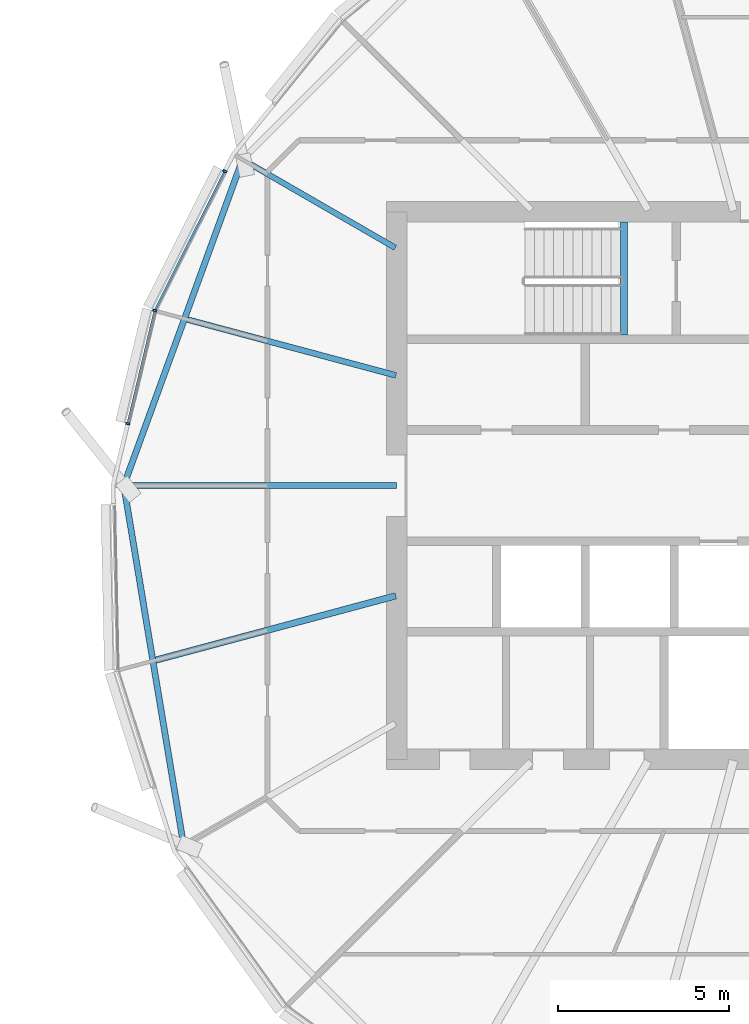
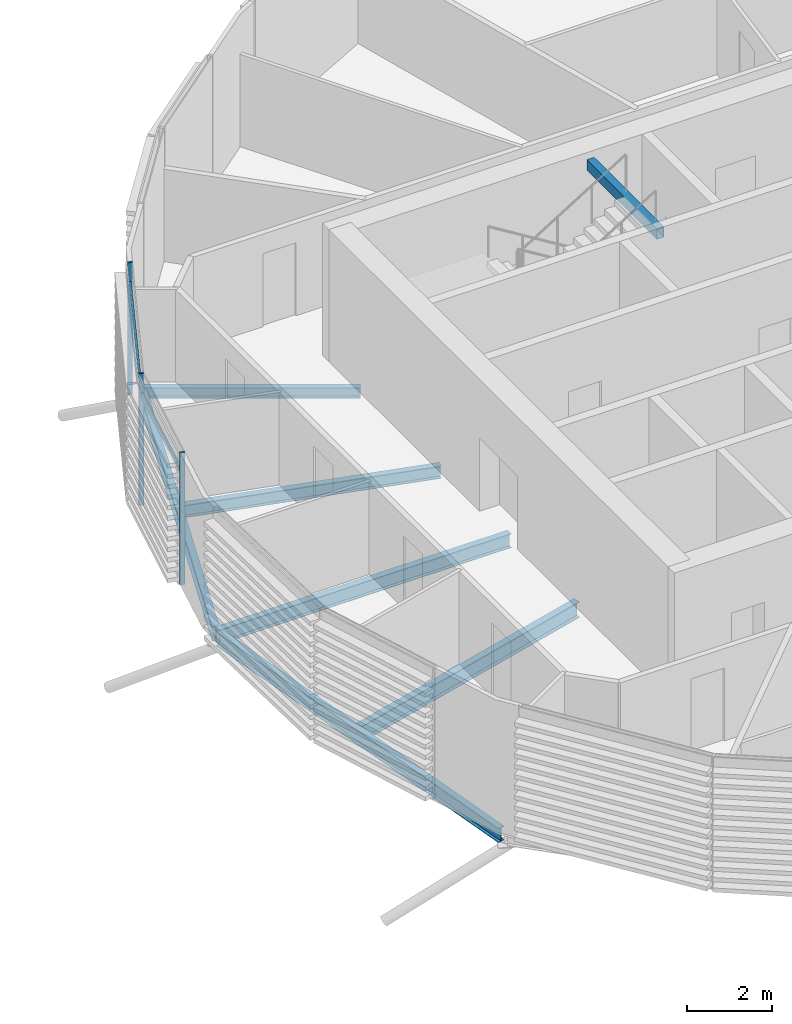
# One storey, part 13 of 36: 7 beams, 5 members, 1 element without a shape of its own.
"""IFC4 building model written with IfcOpenShell, lengths in metres."""

from ifc_helpers import new_model, si_unit, direction, frame, origin, origin_2d, place, context, subcontext, project, spatial, rectangle, hollow_rectangle, i_section, extrude, material, material_profile, profile_set, type_object, element, aggregate, save


model = new_model("IFC4")

# Units and contexts
model_context = context("Model", 3, precision=1e-05, world=origin(), true_north=direction((0.0, 1.0)))
body_context = subcontext(model_context, "Body", "Model", "MODEL_VIEW")
ifc_project = project(units=[si_unit("LENGTHUNIT", "METRE"), si_unit("AREAUNIT", "SQUARE_METRE"), si_unit("VOLUMEUNIT", "CUBIC_METRE"), si_unit("PLANEANGLEUNIT", "RADIAN"), si_unit("MASSUNIT", "GRAM", prefix="KILO")], contexts=[model_context])

# Site, building, storey
site_placement = place(None, origin())
site = spatial("IfcSite", under=ifc_project, at=site_placement, CompositionType="ELEMENT")
building_placement = place(site_placement, origin())
building = spatial("IfcBuilding", under=site, at=building_placement, Name="Rimbun Link Towers", CompositionType="ELEMENT")
storey_placement = place(building_placement, frame((0.0, 0.0, 200.699951171875)))
storey = spatial("IfcBuildingStorey", under=building, at=storey_placement, Name="L49", CompositionType="ELEMENT", Elevation=200.699951171875)

# Curtain wall, members
ifc_material_1 = material(Name="Aluminium 6063-T6 and low-iron glass", Category="aluminium")
curtain_wall_type = type_object("IfcCurtainWallType", Name="CW1-Z3 unitised vision wall (zone 3)", PredefinedType="NOTDEFINED", material=ifc_material_1)
curtain_wall_placement = place(storey_placement, origin())
curtain_wall = element("IfcCurtainWall", 1, at=curtain_wall_placement, inside=storey, type_object=curtain_wall_type, Name="CW1 L49 T2", PredefinedType="NOTDEFINED")
ifc_material_2 = material(Name="Aluminium 6063-T6", Category="aluminium")
ifc_material_profile_1 = material_profile(ifc_material_2, rectangle(XDim=0.1201171875, YDim=0.06005859375, at=origin_2d()), Name="MULLION 60X120")
ifc_profile_set_1 = profile_set([ifc_material_profile_1], Name="Aluminium 6063-T6")
member_type_1 = type_object("IfcMemberType", Name="CW1 mullion 60X120", PredefinedType="MULLION", material=ifc_profile_set_1)
member_1_placement = place(storey_placement, frame((12.67724609375, 5.115966796875, 0.0), z_axis=(0.0, 0.0, 1.0), x_axis=(-0.939345723979, 0.342971734757, 0.0)))
member_1 = element("IfcMember", 2, at=member_1_placement, type_object=member_type_1, Name="CW1 mullion", PredefinedType="MULLION", context=body_context, shape_type="SweptSolid", body=[
    extrude(rectangle(XDim=0.1201171875, YDim=0.06005859375, at=origin_2d()), origin(), (0.0, 0.0, 1.0), 3.800048828125),
])
member_2_placement = place(storey_placement, frame((14.723876953125, 9.192138671875, 0.0), z_axis=(0.0, 0.0, 1.0), x_axis=(-0.893646073156, 0.448772432233, 0.0)))
member_2 = element("IfcMember", 3, at=member_2_placement, type_object=member_type_1, Name="CW1 mullion", PredefinedType="MULLION", context=body_context, shape_type="SweptSolid", body=[
    extrude(rectangle(XDim=0.1201171875, YDim=0.06005859375, at=origin_2d()), origin(), (0.0, 0.0, 1.0), 3.800048828125),
])
member_3_placement = place(storey_placement, frame((11.886962890625, 1.813232421875, 0.0), z_axis=(0.0, 0.0, 1.0), x_axis=(-0.972568754126, 0.23261560244, 0.0)))
member_3 = element("IfcMember", 4, at=member_3_placement, type_object=member_type_1, Name="CW1 mullion", PredefinedType="MULLION", context=body_context, shape_type="SweptSolid", body=[
    extrude(rectangle(XDim=0.1201171875, YDim=0.06005859375, at=origin_2d()), origin(), (0.0, 0.0, 1.0), 3.800048828125),
])
ifc_material_3 = material(Name="Aluminium 6063-T6", Category="aluminium")
ifc_material_profile_2 = material_profile(ifc_material_3, rectangle(XDim=0.06005859375, YDim=0.1201171875, at=origin_2d()), Name="TRANSOM 60X120")
ifc_profile_set_2 = profile_set([ifc_material_profile_2], Name="Aluminium 6063-T6")
member_type_2 = type_object("IfcMemberType", Name="CW1 transom 60X120", PredefinedType="USERDEFINED", material=ifc_profile_set_2)
member_4_placement = place(storey_placement, frame((12.6953125, 5.148193359375, 3.199951171875), z_axis=(0.448777466573, 0.893643544986, 0.0), x_axis=(-0.893643544986, 0.448777466573, 0.0)))
member_4 = element("IfcMember", 5, at=member_4_placement, type_object=member_type_2, Name="CW1 transom", ObjectType="TRANSOM", PredefinedType="USERDEFINED", context=body_context, shape_type="SweptSolid", body=[
    extrude(rectangle(XDim=0.06005859375, YDim=0.1201171875, at=origin_2d()), origin(), (0.0, 0.0, 1.0), 4.494140625),
])
member_5_placement = place(storey_placement, frame((11.895751953125, 1.842041015625, 3.199951171875), z_axis=(0.232618453125, 0.972568072304, 0.0), x_axis=(-0.972568072304, 0.232618453125, 0.0)))
member_5 = element("IfcMember", 6, at=member_5_placement, type_object=member_type_2, Name="CW1 transom", ObjectType="TRANSOM", PredefinedType="USERDEFINED", context=body_context, shape_type="SweptSolid", body=[
    extrude(rectangle(XDim=0.06005859375, YDim=0.1201171875, at=origin_2d()), origin(), (0.0, 0.0, 1.0), 3.3291015625),
])
aggregate(curtain_wall, [member_1, member_2, member_3, member_4, member_5])

# Beams
ifc_material_4 = material(Name="Steel S355J2", Category="steel")
ifc_material_profile_3 = material_profile(ifc_material_4, hollow_rectangle(XDim=0.199951171875, YDim=0.300048828125, WallThickness=0.011962890625, at=origin_2d()), Name="BOX 300x200x12")
ifc_profile_set_3 = profile_set([ifc_material_profile_3], Name="Steel S355J2")
beam_type_1 = type_object("IfcBeamType", Name="Stair trimmer beam BOX 300x200x12", PredefinedType="BEAM", material=ifc_profile_set_3)
beam_1_placement = place(storey_placement, frame((26.39990234375, 7.699951171875, 3.449951171875), z_axis=(0.0, -1.0, 0.0), x_axis=(1.0, 0.0, 0.0)))
element("IfcBeam", 7, at=beam_1_placement, inside=storey, type_object=beam_type_1, Name="L49 ST3 stair beam 1", PredefinedType="BEAM", context=body_context, shape_type="SweptSolid", body=[
    extrude(hollow_rectangle(XDim=0.199951171875, YDim=0.300048828125, WallThickness=0.011962890625, at=origin_2d()), origin(), (0.0, 0.0, 1.0), 3.300048828125),
])
ifc_material_5 = material(Name="Steel S355J2", Category="steel")
ifc_material_profile_4 = material_profile(ifc_material_5, i_section(OverallWidth=0.1650390625, OverallDepth=0.303466796875, WebThickness=0.006103515625, FlangeThickness=0.01025390625, at=origin_2d()), Name="UB 305x165x40")
ifc_profile_set_4 = profile_set([ifc_material_profile_4], Name="Steel S355J2")
beam_type_2 = type_object("IfcBeamType", Name="UB 305x165x40", PredefinedType="BEAM", material=ifc_profile_set_4)
beam_2_placement = place(storey_placement, frame((19.7080078125, 6.952392578125, -0.3017578125), z_axis=(-0.866025493452, 0.499999844691, 0.0), x_axis=(-0.499999844691, -0.866025493452, 0.0)))
element("IfcBeam", 8, at=beam_2_placement, inside=storey, type_object=beam_type_2, Name="Radial beam T2 L49 07", PredefinedType="BEAM", context=body_context, shape_type="SweptSolid", body=[
    extrude(i_section(OverallWidth=0.1650390625, OverallDepth=0.303466796875, WebThickness=0.006103515625, FlangeThickness=0.01025390625, at=origin_2d()), origin(), (0.0, 0.0, 1.0), 5.1552734375),
])
ifc_material_6 = material(Name="Steel S355J2", Category="steel")
ifc_material_profile_5 = material_profile(ifc_material_6, i_section(OverallWidth=0.17138671875, OverallDepth=0.35498046875, WebThickness=0.00732421875, FlangeThickness=0.011474609375, at=origin_2d()), Name="UB 356x171x51")
ifc_profile_set_5 = profile_set([ifc_material_profile_5], Name="Steel S355J2")
beam_type_3 = type_object("IfcBeamType", Name="UB 356x171x51", PredefinedType="BEAM", material=ifc_profile_set_5)
beam_3_placement = place(storey_placement, frame((19.726806640625, 3.2216796875, -0.327392578125), z_axis=(-0.965926449634, 0.258816718738, 0.0), x_axis=(-0.258816718738, -0.965926449634, 0.0)))
element("IfcBeam", 9, at=beam_3_placement, inside=storey, type_object=beam_type_3, Name="Radial beam T2 L49 08", PredefinedType="BEAM", context=body_context, shape_type="SweptSolid", body=[
    extrude(i_section(OverallWidth=0.17138671875, OverallDepth=0.35498046875, WebThickness=0.00732421875, FlangeThickness=0.011474609375, at=origin_2d()), origin(), (0.0, 0.0, 1.0), 6.305908203125),
])
ifc_material_7 = material(Name="Steel S355J2", Category="steel")
ifc_material_profile_6 = material_profile(ifc_material_7, i_section(OverallWidth=0.177978515625, OverallDepth=0.406494140625, WebThickness=0.0078125, FlangeThickness=0.0126953125, at=origin_2d()), Name="UB 406x178x60")
ifc_profile_set_6 = profile_set([ifc_material_profile_6], Name="Steel S355J2")
beam_type_4 = type_object("IfcBeamType", Name="UB 406x178x60", PredefinedType="BEAM", material=ifc_profile_set_6)
beam_4_placement = place(storey_placement, frame((19.7490234375, 0.0, -0.353271484375), z_axis=(-1.0, 0.0, 0.0), x_axis=(0.0, -1.0, 0.0)))
element("IfcBeam", 10, at=beam_4_placement, inside=storey, type_object=beam_type_4, Name="Radial beam T2 L49 09", PredefinedType="BEAM", context=body_context, shape_type="SweptSolid", body=[
    extrude(i_section(OverallWidth=0.177978515625, OverallDepth=0.406494140625, WebThickness=0.0078125, FlangeThickness=0.0126953125, at=origin_2d()), origin(), (0.0, 0.0, 1.0), 7.97705078125),
])
beam_5_placement = place(storey_placement, frame((15.21435546875, 9.450439453125, -0.353271484375), z_axis=(-0.342258543718, -0.939605815889, 0.0), x_axis=(0.939605815889, -0.342258543718, 0.0)))
element("IfcBeam", 11, at=beam_5_placement, inside=storey, type_object=beam_type_4, Name="Edge beam T2 L49 07-09", PredefinedType="BEAM", context=body_context, shape_type="SweptSolid", body=[
    extrude(i_section(OverallWidth=0.177978515625, OverallDepth=0.406494140625, WebThickness=0.0078125, FlangeThickness=0.0126953125, at=origin_2d()), origin(), (0.0, 0.0, 1.0), 9.962158203125),
])
beam_6_placement = place(storey_placement, frame((11.786865234375, -0.08984375, -0.353271484375), z_axis=(0.16412701203, -0.98643921451, 0.0), x_axis=(0.98643921451, 0.16412701203, 0.0)))
element("IfcBeam", 12, at=beam_6_placement, inside=storey, type_object=beam_type_4, Name="Edge beam T2 L49 09-11", PredefinedType="BEAM", context=body_context, shape_type="SweptSolid", body=[
    extrude(i_section(OverallWidth=0.177978515625, OverallDepth=0.406494140625, WebThickness=0.0078125, FlangeThickness=0.0126953125, at=origin_2d()), origin(), (0.0, 0.0, 1.0), 10.48095703125),
])
ifc_material_8 = material(Name="Steel S355J2", Category="steel")
ifc_material_profile_7 = material_profile(ifc_material_8, i_section(OverallWidth=0.18994140625, OverallDepth=0.453369140625, WebThickness=0.008544921875, FlangeThickness=0.0126953125, at=origin_2d()), Name="UB 457x191x67")
ifc_profile_set_7 = profile_set([ifc_material_profile_7], Name="Steel S355J2")
beam_type_5 = type_object("IfcBeamType", Name="UB 457x191x67", PredefinedType="BEAM", material=ifc_profile_set_7)
beam_7_placement = place(storey_placement, frame((19.724609375, -3.22216796875, -0.376708984375), z_axis=(-0.965922233104, -0.258832454679, 0.0), x_axis=(0.258832454679, -0.965922233104, 0.0)))
element("IfcBeam", 13, at=beam_7_placement, inside=storey, type_object=beam_type_5, Name="Radial beam T2 L49 10", PredefinedType="BEAM", context=body_context, shape_type="SweptSolid", body=[
    extrude(i_section(OverallWidth=0.18994140625, OverallDepth=0.453369140625, WebThickness=0.008544921875, FlangeThickness=0.0126953125, at=origin_2d()), origin(), (0.0, 0.0, 1.0), 7.260009765625),
])

save(model, "model.ifc")
